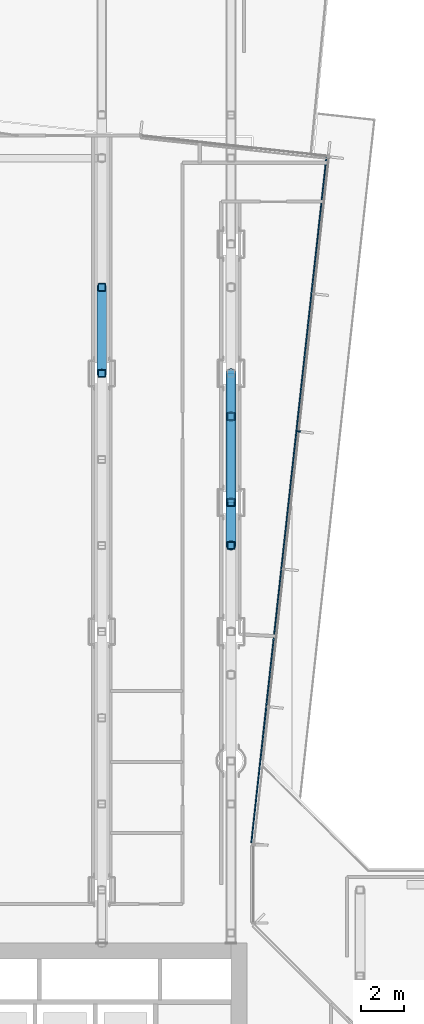
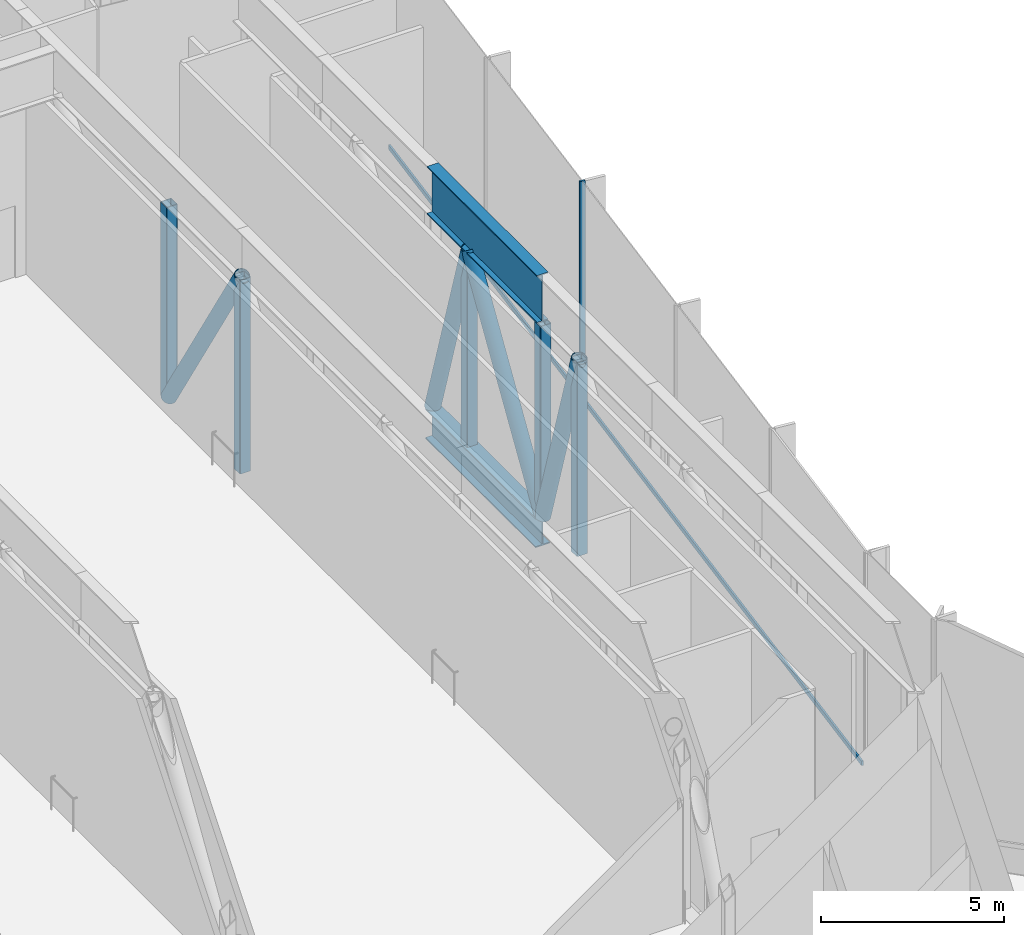
# One storey, part 7 of 24: 13 members, 1 element without a shape of its own.
"""IFC4 building model written with IfcOpenShell, lengths in metres."""

from ifc_helpers import new_model, si_unit, direction, frame, origin, origin_2d, place, context, subcontext, project, spatial, rectangle, hollow_rectangle, hollow_circle, i_section, extrude, material, layer, layer_set, material_profile, profile_set, type_object, element, aggregate, save


model = new_model("IFC4")

# Units and contexts
model_context = context("Model", 3, precision=1e-05, world=origin(), true_north=direction((0.0, 1.0)))
body_context = subcontext(model_context, "Body", "Model", "MODEL_VIEW")
ifc_project = project(units=[si_unit("LENGTHUNIT", "METRE"), si_unit("AREAUNIT", "SQUARE_METRE"), si_unit("VOLUMEUNIT", "CUBIC_METRE"), si_unit("PLANEANGLEUNIT", "RADIAN"), si_unit("MASSUNIT", "GRAM", prefix="KILO")], contexts=[model_context])

# Site, building, storey
site_placement = place(None, origin())
site = spatial("IfcSite", under=ifc_project, at=site_placement, CompositionType="ELEMENT")
building_placement = place(site_placement, origin())
building = spatial("IfcBuilding", under=site, at=building_placement, Name="Welwitschia Terrace Campus", CompositionType="ELEMENT")
storey_placement = place(building_placement, frame((0.0, 0.0, 138.199951171875)))
storey = spatial("IfcBuildingStorey", under=building, at=storey_placement, Name="L31", CompositionType="ELEMENT", Elevation=138.199951171875)

# Curtain wall, member
ifc_material_1 = material(Name="Bronze anodised aluminium", Category="aluminium")
ifc_layer = layer(ifc_material_1, 0.159912109375)
ifc_layer_set = layer_set([ifc_layer], Name="Bronze anodised aluminium")
curtain_wall_type = type_object("IfcCurtainWallType", Name="Curtain wall CW3 commons 6000", PredefinedType="NOTDEFINED", material=ifc_layer_set)
curtain_wall_placement = place(storey_placement, origin())
curtain_wall = element("IfcCurtainWall", 1, at=curtain_wall_placement, inside=storey, type_object=curtain_wall_type, Name="CW L31.10.0", PredefinedType="NOTDEFINED")
ifc_material_2 = material(Name="Bronze anodised aluminium", Category="aluminium")
ifc_material_profile_1 = material_profile(ifc_material_2, rectangle(XDim=0.159912109375, YDim=0.06005859375, at=origin_2d()))
ifc_profile_set_1 = profile_set([ifc_material_profile_1], Name="Bronze anodised aluminium")
member_type_1 = type_object("IfcMemberType", Name="Mullion 60x160", PredefinedType="MULLION", material=ifc_profile_set_1)
member_1_placement = place(storey_placement, frame((27.150390625, 49.302001953125, 0.0), z_axis=(0.0, 0.0, 1.0), x_axis=(-0.994056338222, 0.108866874852, 0.0)))
member_1 = element("IfcMember", 2, at=member_1_placement, type_object=member_type_1, Name="Mullion L31.10.0.3", PredefinedType="MULLION", context=body_context, shape_type="SweptSolid", body=[
    extrude(rectangle(XDim=0.159912109375, YDim=0.06005859375, at=origin_2d()), origin(), (0.0, 0.0, 1.0), 8.050048828125),
])

# Members
ifc_material_3 = material(Name="Steel S355", Category="steel")
ifc_material_profile_2 = material_profile(ifc_material_3, i_section(OverallWidth=0.449951171875, OverallDepth=1.0, WebThickness=0.030029296875, FlangeThickness=0.0400390625, at=origin_2d()))
ifc_profile_set_2 = profile_set([ifc_material_profile_2], Name="Steel S355")
member_type_2 = type_object("IfcMemberType", Name="Transfer truss C2 bottom chord WI 1000x450x30x40", PredefinedType="CHORD", material=ifc_profile_set_2)
member_2_placement = place(storey_placement, frame((24.0, 46.0, -0.5), z_axis=(0.0, 1.0, 0.0), x_axis=(-1.0, 0.0, 0.0)))
element("IfcMember", 3, at=member_2_placement, inside=storey, type_object=member_type_2, Name="Truss bottom chord", PredefinedType="CHORD", context=body_context, shape_type="SweptSolid", body=[
    extrude(i_section(OverallWidth=0.449951171875, OverallDepth=1.0, WebThickness=0.030029296875, FlangeThickness=0.0400390625, at=origin_2d()), origin(), (0.0, 0.0, 1.0), 6.0),
])
ifc_material_4 = material(Name="Steel S355", Category="steel")
ifc_material_profile_3 = material_profile(ifc_material_4, hollow_circle(Radius=0.228515625, WallThickness=0.02001953125, at=origin_2d()))
ifc_profile_set_3 = profile_set([ifc_material_profile_3], Name="Steel S355")
member_type_3 = type_object("IfcMemberType", Name="Transfer truss C2 diagonal CHS 457x20", PredefinedType="BRACE", material=ifc_profile_set_3)
member_3_placement = place(storey_placement, frame((18.0, 56.0, 0.0), z_axis=(0.0, -0.527037721004, 0.849841891553), x_axis=(1.0, 0.0, 0.0)))
element("IfcMember", 4, at=member_3_placement, inside=storey, type_object=member_type_3, Name="Truss diagonal", PredefinedType="BRACE", context=body_context, shape_type="SweptSolid", body=[
    extrude(hollow_circle(Radius=0.228515625, WallThickness=0.02001953125, at=origin_2d()), origin(), (0.0, 0.0, 1.0), 7.589599609375),
])
member_4_placement = place(storey_placement, frame((24.0, 46.0, 0.0), z_axis=(0.0, -0.296168365803, 0.955135749042), x_axis=(1.0, 0.0, 0.0)))
element("IfcMember", 5, at=member_4_placement, inside=storey, type_object=member_type_3, Name="Truss diagonal", PredefinedType="BRACE", context=body_context, shape_type="SweptSolid", body=[
    extrude(hollow_circle(Radius=0.228515625, WallThickness=0.02001953125, at=origin_2d()), origin(), (0.0, 0.0, 1.0), 6.7529296875),
])
member_5_placement = place(storey_placement, frame((24.0, 46.0, 0.0), z_axis=(0.0, 0.527037721004, 0.849841891553), x_axis=(-1.0, 0.0, 0.0)))
element("IfcMember", 6, at=member_5_placement, inside=storey, type_object=member_type_3, Name="Truss diagonal", PredefinedType="BRACE", context=body_context, shape_type="SweptSolid", body=[
    extrude(hollow_circle(Radius=0.228515625, WallThickness=0.02001953125, at=origin_2d()), origin(), (0.0, 0.0, 1.0), 7.589599609375),
])
member_6_placement = place(storey_placement, frame((24.0, 52.0, 0.0), z_axis=(0.0, -0.296168365803, 0.955135749042), x_axis=(1.0, 0.0, 0.0)))
element("IfcMember", 7, at=member_6_placement, inside=storey, type_object=member_type_3, Name="Truss diagonal", PredefinedType="BRACE", context=body_context, shape_type="SweptSolid", body=[
    extrude(hollow_circle(Radius=0.228515625, WallThickness=0.02001953125, at=origin_2d()), origin(), (0.0, 0.0, 1.0), 6.7529296875),
])
ifc_material_5 = material(Name="Steel S355", Category="steel")
ifc_material_profile_4 = material_profile(ifc_material_5, hollow_rectangle(XDim=0.35009765625, YDim=0.35009765625, WallThickness=0.02001953125, InnerFilletRadius=0.02001953125, OuterFilletRadius=0.030029296875, at=origin_2d()))
ifc_profile_set_4 = profile_set([ifc_material_profile_4], Name="Steel S355")
member_type_4 = type_object("IfcMemberType", Name="Transfer truss C2 post SHS 350x350x20", PredefinedType="POST", material=ifc_profile_set_4)
for number, where, z_axis, x_axis, name in (
    (8, (18.0, 52.0, 0.0), (0.0, 0.0, 1.0), (1.0, 0.0, 0.0), "Truss post"),
    (9, (18.0, 56.0, 0.0), (0.0, 0.0, 1.0), (1.0, 0.0, 0.0), "Truss post"),
    (10, (24.0, 44.0, 0.0), (0.0, 0.0, 1.0), (1.0, 0.0, 0.0), "Truss post"),
    (11, (24.0, 46.0, 0.0), (0.0, 0.0, 1.0), (1.0, 0.0, 0.0), "Truss post"),
    (12, (24.0, 50.0, 0.0), (0.0, 0.0, 1.0), (1.0, 0.0, 0.0), "Truss post"),
):
    element("IfcMember", number, at=place(storey_placement, frame(where, z_axis=z_axis, x_axis=x_axis)), inside=storey, type_object=member_type_4, Name=name, PredefinedType="POST", context=body_context, shape_type="SweptSolid", body=[
        extrude(hollow_rectangle(XDim=0.35009765625, YDim=0.35009765625, WallThickness=0.02001953125, InnerFilletRadius=0.02001953125, OuterFilletRadius=0.030029296875, at=origin_2d()), origin(), (0.0, 0.0, 1.0), 6.449951171875),
    ])
ifc_material_6 = material(Name="Steel S355", Category="steel")
ifc_material_profile_5 = material_profile(ifc_material_6, i_section(OverallWidth=0.35009765625, OverallDepth=1.60009765625, WebThickness=0.030029296875, FlangeThickness=0.0400390625, at=origin_2d()))
ifc_profile_set_5 = profile_set([ifc_material_profile_5], Name="Steel S355")
member_type_5 = type_object("IfcMemberType", Name="Transfer truss C2 top chord WI 1600x350x30x40", PredefinedType="CHORD", material=ifc_profile_set_5)
member_7_placement = place(storey_placement, frame((24.0, 46.0, 7.25), z_axis=(0.0, 1.0, 0.0), x_axis=(-1.0, 0.0, 0.0)))
element("IfcMember", 13, at=member_7_placement, inside=storey, type_object=member_type_5, Name="Truss top chord", PredefinedType="CHORD", context=body_context, shape_type="SweptSolid", body=[
    extrude(i_section(OverallWidth=0.35009765625, OverallDepth=1.60009765625, WebThickness=0.030029296875, FlangeThickness=0.0400390625, at=origin_2d()), origin(), (0.0, 0.0, 1.0), 6.0),
])

# Member
ifc_material_7 = material(Name="Bronze anodised aluminium", Category="aluminium")
ifc_material_profile_6 = material_profile(ifc_material_7, rectangle(XDim=0.06005859375, YDim=0.14990234375, at=origin_2d()))
ifc_profile_set_6 = profile_set([ifc_material_profile_6], Name="Bronze anodised aluminium")
member_type_6 = type_object("IfcMemberType", Name="Transom 60x150", PredefinedType="USERDEFINED", material=ifc_profile_set_6)
member_8_placement = place(storey_placement, frame((24.947265625, 30.19482421875, 1.0), z_axis=(0.108863909041, 0.994056663027, 0.0), x_axis=(-0.994056663027, 0.108863909041, 0.0)))
member_8 = element("IfcMember", 14, at=member_8_placement, type_object=member_type_6, Name="Transom L31.10.0", ObjectType="TRANSOM", PredefinedType="USERDEFINED", context=body_context, shape_type="SweptSolid", body=[
    extrude(rectangle(XDim=0.06005859375, YDim=0.14990234375, at=origin_2d()), origin(), (0.0, 0.0, 1.0), 32.035888671875),
])

aggregate(curtain_wall, [member_1, member_8])

save(model, "model.ifc")
